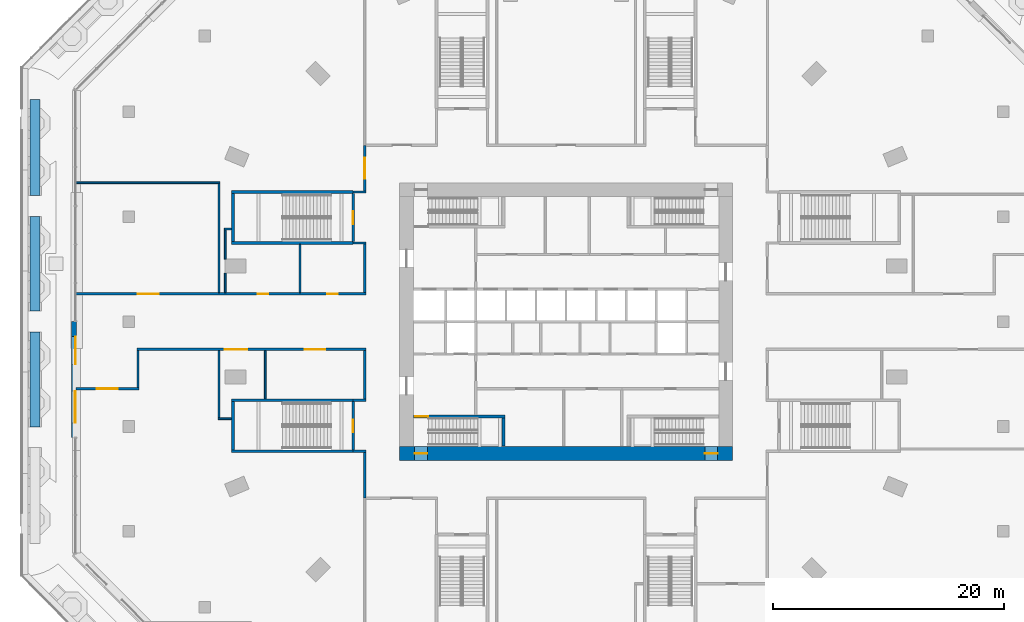
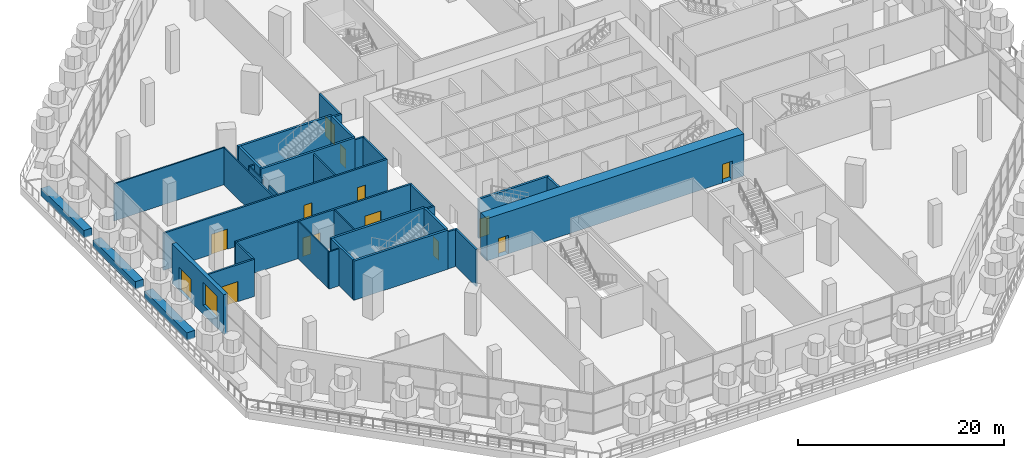
# One storey, part 22 of 32: 36 walls, 14 doors, 1 window, 15 openings.
"""IFC4 building model written with IfcOpenShell, lengths in metres."""

from ifc_helpers import new_model, si_unit, direction, frame, frame_2d, origin, place, context, subcontext, project, spatial, rectangle, extrude, material, layer, layer_set, type_object, element, fill, save


model = new_model("IFC4")

# Units and contexts
model_context = context("Model", 3, precision=1e-05, world=origin(), true_north=direction((0.0, 1.0)))
body_context = subcontext(model_context, "Body", "Model", "MODEL_VIEW")
ifc_project = project(units=[si_unit("LENGTHUNIT", "METRE"), si_unit("AREAUNIT", "SQUARE_METRE"), si_unit("VOLUMEUNIT", "CUBIC_METRE"), si_unit("PLANEANGLEUNIT", "RADIAN"), si_unit("MASSUNIT", "GRAM", prefix="KILO")], contexts=[model_context])

# Site, building, storey
site_placement = place(None, origin())
site = spatial("IfcSite", under=ifc_project, at=site_placement, CompositionType="ELEMENT")
building_placement = place(site_placement, origin())
building = spatial("IfcBuilding", under=site, at=building_placement, Name="Msitu Wima Residences", CompositionType="ELEMENT")
storey_placement = place(building_placement, frame((0.0, 0.0, 6.0)))
storey = spatial("IfcBuildingStorey", under=building, at=storey_placement, Name="L01", CompositionType="ELEMENT", Elevation=6.0)

# Wall, openings, door, window
ifc_material_1 = material(Name="Brick (red buff mix), cavity wall of two leaves", Category="masonry")
ifc_layer_1 = layer(ifc_material_1, 0.449951171875)
ifc_layer_set_1 = layer_set([ifc_layer_1], Name="Brick (red buff mix), cavity wall of two leaves")
wall_type_1 = type_object("IfcWallType", Name="Brick infill wall BW450 podium", PredefinedType="ELEMENTEDWALL", material=ifc_layer_set_1)
wall_1_placement = place(storey_placement, frame((-42.52490234375, 0.0, 0.0), z_axis=(0.0, 0.0, 1.0), x_axis=(0.0, -1.0, 0.0)))
wall_1 = element("IfcWall", 1, at=wall_1_placement, inside=storey, type_object=wall_type_1, Name="Brick infill wall L01 W2", PredefinedType="ELEMENTEDWALL", context=body_context, shape_type="SweptSolid", body=[
    extrude(rectangle(XDim=9.995849609375, YDim=0.449951171875, at=frame_2d((4.998046875, 0.0))), origin(), (0.0, 0.0, 1.0), 4.699951171875),
])
opening_1_placement = place(wall_1_placement, frame((1.299072265625, 0.0, 0.0)))
opening_1 = element("IfcOpeningElement", 2, at=opening_1_placement, cuts=wall_1, Name="Opening D01.008", PredefinedType="OPENING", context=body_context, shape_type="SweptSolid", body=[
    extrude(rectangle(XDim=2.39990234375, YDim=2.699951171875, at=frame_2d((1.199951171875, 1.35009765625))), frame((0.0, 0.23486328125, 0.0), z_axis=(0.0, -1.0, 0.0), x_axis=(1.0, 0.0, 0.0)), (0.0, 0.0, 1.0), 0.469970703125),
])
opening_2_placement = place(wall_1_placement, frame((6.0, 0.0, 1.050048828125)))
opening_2 = element("IfcOpeningElement", 3, at=opening_2_placement, cuts=wall_1, Name="Opening W01.008", PredefinedType="OPENING", context=body_context, shape_type="SweptSolid", body=[
    extrude(rectangle(XDim=2.75, YDim=2.699951171875, at=frame_2d((1.375, 1.35009765625))), frame((0.0, 0.23486328125, 0.0), z_axis=(0.0, -1.0, 0.0), x_axis=(1.0, 0.0, 0.0)), (0.0, 0.0, 1.0), 0.469970703125),
])
ifc_material_2 = material(Name="Anodised aluminium, bronze finish, clear low-emissivity double glazing", Category="aluminium")
door_type_1 = type_object("IfcDoorType", Name="Balcony door D2400x2700", OperationType="SLIDING_TO_LEFT", PredefinedType="DOOR", material=ifc_material_2)
door_1_placement = place(opening_1_placement, origin())
door_1 = element("IfcDoor", 4, at=door_1_placement, inside=storey, type_object=door_type_1, Name="Terrace door L01 W2", OperationType="SINGLE_SWING_LEFT", OverallHeight=2.699951171875, OverallWidth=2.39990234375, PredefinedType="DOOR", context=body_context, shape_type="SweptSolid", body=[
    extrude(rectangle(XDim=2.39990234375, YDim=2.699951171875, at=frame_2d((1.199951171875, 1.35009765625))), frame((0.0, 0.1298828125, 0.0), z_axis=(0.0, -1.0, 0.0), x_axis=(1.0, 0.0, 0.0)), (0.0, 0.0, 1.0), 0.050048828125),
])
fill(opening_1, door_1)
window_type = type_object("IfcWindowType", Name="Window W2750x2700", PartitioningType="DOUBLE_PANEL_VERTICAL", PredefinedType="WINDOW", material=ifc_material_2)
window_placement = place(opening_2_placement, origin())
window = element("IfcWindow", 5, at=window_placement, inside=storey, type_object=window_type, Name="Window L01 W2.2b", OverallHeight=2.699951171875, OverallWidth=2.75, PartitioningType="SINGLE_PANEL", PredefinedType="WINDOW", context=body_context, shape_type="SweptSolid", body=[
    extrude(rectangle(XDim=2.75, YDim=2.699951171875, at=frame_2d((1.375, 1.35009765625))), frame((0.0, 0.135009765625, 0.0), z_axis=(0.0, -1.0, 0.0), x_axis=(1.0, 0.0, 0.0)), (0.0, 0.0, 1.0), 0.06005859375),
])
fill(opening_2, window)

# Wall, openings, doors
ifc_material_3 = material(Name="Concrete C80/95", Category="concrete")
ifc_layer_2 = layer(ifc_material_3, 1.199951171875)
ifc_layer_set_2 = layer_set([ifc_layer_2], Name="Concrete C80/95")
wall_type_2 = type_object("IfcWallType", Name="Core wall CW1200 C80/95", PredefinedType="SHEAR", material=ifc_layer_set_2)
wall_2_placement = place(storey_placement, frame((-14.39990234375, -11.39990234375, 0.0), z_axis=(0.0, 0.0, 1.0), x_axis=(1.0, 0.0, 0.0)))
wall_2 = element("IfcWall", 6, at=wall_2_placement, inside=storey, type_object=wall_type_2, Name="Core wall", PredefinedType="SHEAR", context=body_context, shape_type="SweptSolid", body=[
    extrude(rectangle(XDim=28.7998046875, YDim=1.199951171875, at=frame_2d((14.39990234375, 0.0))), origin(), (0.0, 0.0, 1.0), 5.0),
])
opening_3_placement = place(wall_2_placement, frame((1.300048828125, 0.0, 0.0)))
opening_3 = element("IfcOpeningElement", 7, at=opening_3_placement, cuts=wall_2, Name="Opening D01.064", PredefinedType="OPENING", context=body_context, shape_type="SweptSolid", body=[
    extrude(rectangle(XDim=1.10009765625, YDim=2.199951171875, at=frame_2d((0.550048828125, 1.10009765625))), frame((0.0, 0.60986328125, 0.0), z_axis=(0.0, -1.0, 0.0), x_axis=(1.0, 0.0, 0.0)), (0.0, 0.0, 1.0), 1.219970703125),
])
opening_4_placement = place(wall_2_placement, frame((26.39990234375, 0.0, 0.0)))
opening_4 = element("IfcOpeningElement", 8, at=opening_4_placement, cuts=wall_2, Name="Opening D01.066", PredefinedType="OPENING", context=body_context, shape_type="SweptSolid", body=[
    extrude(rectangle(XDim=1.10009765625, YDim=2.199951171875, at=frame_2d((0.550048828125, 1.10009765625))), frame((0.0, 0.60986328125, 0.0), z_axis=(0.0, -1.0, 0.0), x_axis=(1.0, 0.0, 0.0)), (0.0, 0.0, 1.0), 1.219970703125),
])
ifc_material_4 = material(Name="Steel door, fire resisting, panic bar", Category="steel")
door_type_2 = type_object("IfcDoorType", Name="Stair door D06 1100x2200", OperationType="SINGLE_SWING_LEFT", PredefinedType="DOOR", material=ifc_material_4)
door_2_placement = place(opening_3_placement, origin())
door_2 = element("IfcDoor", 9, at=door_2_placement, inside=storey, type_object=door_type_2, Name="Stair door", OperationType="SINGLE_SWING_LEFT", OverallHeight=2.199951171875, OverallWidth=1.10009765625, PredefinedType="DOOR", context=body_context, shape_type="SweptSolid", body=[
    extrude(rectangle(XDim=1.10009765625, YDim=2.199951171875, at=frame_2d((0.550048828125, 1.10009765625))), frame((0.0, 0.02490234375, 0.0), z_axis=(0.0, -1.0, 0.0), x_axis=(1.0, 0.0, 0.0)), (0.0, 0.0, 1.0), 0.050048828125),
])
fill(opening_3, door_2)
door_3_placement = place(opening_4_placement, origin())
door_3 = element("IfcDoor", 10, at=door_3_placement, inside=storey, type_object=door_type_2, Name="Stair door", OperationType="SINGLE_SWING_RIGHT", OverallHeight=2.199951171875, OverallWidth=1.10009765625, PredefinedType="DOOR", context=body_context, shape_type="SweptSolid", body=[
    extrude(rectangle(XDim=1.10009765625, YDim=2.199951171875, at=frame_2d((0.550048828125, 1.10009765625))), frame((0.0, 0.02490234375, 0.0), z_axis=(0.0, -1.0, 0.0), x_axis=(1.0, 0.0, 0.0)), (0.0, 0.0, 1.0), 0.050048828125),
])
fill(opening_4, door_3)

# Wall, opening, door
ifc_material_5 = material(Name="Plaster")
ifc_layer_3 = layer(ifc_material_5, 0.011962890625, Name="Plaster")
ifc_material_6 = material(Name="Concrete blockwork", Category="masonry")
ifc_layer_4 = layer(ifc_material_6, 0.176025390625, Name="Concrete blockwork")
ifc_layer_5 = layer(ifc_material_5, 0.011962890625, Name="Plaster")
ifc_layer_set_3 = layer_set([ifc_layer_3, ifc_layer_4, ifc_layer_5], Name="Concrete blockwork")
wall_type_3 = type_object("IfcWallType", Name="Corridor wall FW200", PredefinedType="PARTITIONING", material=ifc_layer_set_3)
wall_3_placement = place(storey_placement, frame((-42.35498046875, -5.800048828125, 0.0), z_axis=(0.0, 0.0, 1.0), x_axis=(1.0, 0.0, 0.0)))
wall_3 = element("IfcWall", 11, at=wall_3_placement, inside=storey, type_object=wall_type_3, Name="Corridor wall", PredefinedType="PARTITIONING", context=body_context, shape_type="SweptSolid", body=[
    extrude(rectangle(XDim=5.455078125, YDim=0.199951171875, at=frame_2d((2.7275390625, 0.0))), origin(), (0.0, 0.0, 1.0), 4.39990234375),
])
opening_5_placement = place(wall_3_placement, frame((1.800048828125, 0.0, 0.0)))
opening_5 = element("IfcOpeningElement", 12, at=opening_5_placement, cuts=wall_3, Name="Opening D01.041", PredefinedType="OPENING", context=body_context, shape_type="SweptSolid", body=[
    extrude(rectangle(XDim=1.800048828125, YDim=2.39990234375, at=frame_2d((0.89990234375, 1.199951171875))), frame((0.0, 0.10986328125, 0.0), z_axis=(0.0, -1.0, 0.0), x_axis=(1.0, 0.0, 0.0)), (0.0, 0.0, 1.0), 0.219970703125),
])
ifc_material_7 = material(Name="Glazed aluminium door", Category="aluminium")
door_type_3 = type_object("IfcDoorType", Name="Shopfront door D11 1800x2400", OperationType="DOUBLE_DOOR_SINGLE_SWING", PredefinedType="DOOR", material=ifc_material_7)
door_4_placement = place(opening_5_placement, origin())
door_4 = element("IfcDoor", 13, at=door_4_placement, inside=storey, type_object=door_type_3, Name="Shopfront door", OperationType="DOUBLE_DOOR_SINGLE_SWING", OverallHeight=2.39990234375, OverallWidth=1.800048828125, PredefinedType="DOOR", context=body_context, shape_type="SweptSolid", body=[
    extrude(rectangle(XDim=1.800048828125, YDim=2.39990234375, at=frame_2d((0.89990234375, 1.199951171875))), frame((0.0, 0.02490234375, 0.0), z_axis=(0.0, -1.0, 0.0), x_axis=(1.0, 0.0, 0.0)), (0.0, 0.0, 1.0), 0.050048828125),
])
fill(opening_5, door_4)

# Wall, openings, doors
wall_4_placement = place(storey_placement, frame((-42.35498046875, 2.39990234375, 0.0), z_axis=(0.0, 0.0, 1.0), x_axis=(1.0, 0.0, 0.0)))
wall_4 = element("IfcWall", 14, at=wall_4_placement, inside=storey, type_object=wall_type_3, Name="Corridor wall", PredefinedType="PARTITIONING", context=body_context, shape_type="SweptSolid", body=[
    extrude(rectangle(XDim=25.054931640625, YDim=0.199951171875, at=frame_2d((12.52734375, 0.0))), origin(), (0.0, 0.0, 1.0), 4.39990234375),
])
opening_6_placement = place(wall_4_placement, frame((15.699951171875, 0.0, 0.0)))
opening_6 = element("IfcOpeningElement", 15, at=opening_6_placement, cuts=wall_4, Name="Opening D01.028", PredefinedType="OPENING", context=body_context, shape_type="SweptSolid", body=[
    extrude(rectangle(XDim=0.89990234375, YDim=2.199951171875, at=frame_2d((0.449951171875, 1.10009765625))), frame((0.0, 0.10986328125, 0.0), z_axis=(0.0, -1.0, 0.0), x_axis=(1.0, 0.0, 0.0)), (0.0, 0.0, 1.0), 0.219970703125),
])
opening_7_placement = place(wall_4_placement, frame((21.699951171875, 0.0, 0.0)))
opening_7 = element("IfcOpeningElement", 16, at=opening_7_placement, cuts=wall_4, Name="Opening D01.029", PredefinedType="OPENING", context=body_context, shape_type="SweptSolid", body=[
    extrude(rectangle(XDim=0.89990234375, YDim=2.199951171875, at=frame_2d((0.449951171875, 1.10009765625))), frame((0.0, 0.10986328125, 0.0), z_axis=(0.0, -1.0, 0.0), x_axis=(1.0, 0.0, 0.0)), (0.0, 0.0, 1.0), 0.219970703125),
])
opening_8_placement = place(wall_4_placement, frame((5.35009765625, 0.0, 0.0)))
opening_8 = element("IfcOpeningElement", 17, at=opening_8_placement, cuts=wall_4, Name="Opening D01.038", PredefinedType="OPENING", context=body_context, shape_type="SweptSolid", body=[
    extrude(rectangle(XDim=1.800048828125, YDim=2.39990234375, at=frame_2d((0.89990234375, 1.199951171875))), frame((0.0, 0.10986328125, 0.0), z_axis=(0.0, -1.0, 0.0), x_axis=(1.0, 0.0, 0.0)), (0.0, 0.0, 1.0), 0.219970703125),
])
ifc_material_8 = material(Name="Timber flush door, moisture resistant", Category="wood")
door_type_4 = type_object("IfcDoorType", Name="Bathroom door D03 900x2200", OperationType="SINGLE_SWING_LEFT", PredefinedType="DOOR", material=ifc_material_8)
door_5_placement = place(opening_6_placement, origin())
door_5 = element("IfcDoor", 18, at=door_5_placement, inside=storey, type_object=door_type_4, Name="Bathroom door", OperationType="SINGLE_SWING_RIGHT", OverallHeight=2.199951171875, OverallWidth=0.89990234375, PredefinedType="DOOR", context=body_context, shape_type="SweptSolid", body=[
    extrude(rectangle(XDim=0.89990234375, YDim=2.199951171875, at=frame_2d((0.449951171875, 1.10009765625))), frame((0.0, 0.02490234375, 0.0), z_axis=(0.0, -1.0, 0.0), x_axis=(1.0, 0.0, 0.0)), (0.0, 0.0, 1.0), 0.050048828125),
])
fill(opening_6, door_5)
door_6_placement = place(opening_7_placement, origin())
door_6 = element("IfcDoor", 19, at=door_6_placement, inside=storey, type_object=door_type_4, Name="Bathroom door", OperationType="SINGLE_SWING_RIGHT", OverallHeight=2.199951171875, OverallWidth=0.89990234375, PredefinedType="DOOR", context=body_context, shape_type="SweptSolid", body=[
    extrude(rectangle(XDim=0.89990234375, YDim=2.199951171875, at=frame_2d((0.449951171875, 1.10009765625))), frame((0.0, 0.02490234375, 0.0), z_axis=(0.0, -1.0, 0.0), x_axis=(1.0, 0.0, 0.0)), (0.0, 0.0, 1.0), 0.050048828125),
])
fill(opening_7, door_6)
door_7_placement = place(opening_8_placement, origin())
door_7 = element("IfcDoor", 20, at=door_7_placement, inside=storey, type_object=door_type_3, Name="Shopfront door", OperationType="DOUBLE_DOOR_SINGLE_SWING", OverallHeight=2.39990234375, OverallWidth=1.800048828125, PredefinedType="DOOR", context=body_context, shape_type="SweptSolid", body=[
    extrude(rectangle(XDim=1.800048828125, YDim=2.39990234375, at=frame_2d((0.89990234375, 1.199951171875))), frame((0.0, 0.02490234375, 0.0), z_axis=(0.0, -1.0, 0.0), x_axis=(1.0, 0.0, 0.0)), (0.0, 0.0, 1.0), 0.050048828125),
])
fill(opening_8, door_7)

# Wall
wall_5_placement = place(storey_placement, frame((-37.0, -5.699951171875, 0.0), z_axis=(0.0, 0.0, 1.0), x_axis=(0.0, 1.0, 0.0)))
element("IfcWall", 21, at=wall_5_placement, inside=storey, type_object=wall_type_3, Name="Corridor wall", PredefinedType="PARTITIONING", context=body_context, shape_type="SweptSolid", body=[
    extrude(rectangle(XDim=3.199951171875, YDim=0.199951171875, at=frame_2d((1.60009765625, 0.0))), origin(), (0.0, 0.0, 1.0), 4.39990234375),
])

# Wall, openings, doors
wall_6_placement = place(storey_placement, frame((-37.10009765625, -2.39990234375, 0.0), z_axis=(0.0, 0.0, 1.0), x_axis=(1.0, 0.0, 0.0)))
wall_6 = element("IfcWall", 22, at=wall_6_placement, inside=storey, type_object=wall_type_3, Name="Corridor wall", PredefinedType="PARTITIONING", context=body_context, shape_type="SweptSolid", body=[
    extrude(rectangle(XDim=19.800048828125, YDim=0.199951171875, at=frame_2d((9.89990234375, 0.0))), origin(), (0.0, 0.0, 1.0), 4.39990234375),
])
opening_9_placement = place(wall_6_placement, frame((8.64990234375, 0.0, 0.0)))
opening_9 = element("IfcOpeningElement", 23, at=opening_9_placement, cuts=wall_6, Name="Opening D01.030", PredefinedType="OPENING", context=body_context, shape_type="SweptSolid", body=[
    extrude(rectangle(XDim=0.89990234375, YDim=2.199951171875, at=frame_2d((0.449951171875, 1.10009765625))), frame((0.0, 0.10986328125, 0.0), z_axis=(0.0, -1.0, 0.0), x_axis=(1.0, 0.0, 0.0)), (0.0, 0.0, 1.0), 0.219970703125),
])
opening_10_placement = place(wall_6_placement, frame((14.5, 0.0, 0.0)))
opening_10 = element("IfcOpeningElement", 24, at=opening_10_placement, cuts=wall_6, Name="Opening D01.040", PredefinedType="OPENING", context=body_context, shape_type="SweptSolid", body=[
    extrude(rectangle(XDim=1.800048828125, YDim=2.39990234375, at=frame_2d((0.89990234375, 1.199951171875))), frame((0.0, 0.10986328125, 0.0), z_axis=(0.0, -1.0, 0.0), x_axis=(1.0, 0.0, 0.0)), (0.0, 0.0, 1.0), 0.219970703125),
])
opening_11_placement = place(wall_6_placement, frame((7.60009765625, 0.0, 0.0)))
opening_11 = element("IfcOpeningElement", 25, at=opening_11_placement, cuts=wall_6, Name="Opening D01.050", PredefinedType="OPENING", context=body_context, shape_type="SweptSolid", body=[
    extrude(rectangle(XDim=0.89990234375, YDim=2.199951171875, at=frame_2d((0.449951171875, 1.10009765625))), frame((0.0, 0.10986328125, 0.0), z_axis=(0.0, -1.0, 0.0), x_axis=(1.0, 0.0, 0.0)), (0.0, 0.0, 1.0), 0.219970703125),
])
door_8_placement = place(opening_9_placement, origin())
door_8 = element("IfcDoor", 26, at=door_8_placement, inside=storey, type_object=door_type_4, Name="Bathroom door", OperationType="SINGLE_SWING_RIGHT", OverallHeight=2.199951171875, OverallWidth=0.89990234375, PredefinedType="DOOR", context=body_context, shape_type="SweptSolid", body=[
    extrude(rectangle(XDim=0.89990234375, YDim=2.199951171875, at=frame_2d((0.449951171875, 1.10009765625))), frame((0.0, 0.02490234375, 0.0), z_axis=(0.0, -1.0, 0.0), x_axis=(1.0, 0.0, 0.0)), (0.0, 0.0, 1.0), 0.050048828125),
])
fill(opening_9, door_8)
door_9_placement = place(opening_11_placement, origin())
door_9 = element("IfcDoor", 27, at=door_9_placement, inside=storey, type_object=door_type_4, Name="Bathroom door", OperationType="SINGLE_SWING_RIGHT", OverallHeight=2.199951171875, OverallWidth=0.89990234375, PredefinedType="DOOR", context=body_context, shape_type="SweptSolid", body=[
    extrude(rectangle(XDim=0.89990234375, YDim=2.199951171875, at=frame_2d((0.449951171875, 1.10009765625))), frame((0.0, 0.02490234375, 0.0), z_axis=(0.0, -1.0, 0.0), x_axis=(1.0, 0.0, 0.0)), (0.0, 0.0, 1.0), 0.050048828125),
])
fill(opening_11, door_9)
door_10_placement = place(opening_10_placement, origin())
door_10 = element("IfcDoor", 28, at=door_10_placement, inside=storey, type_object=door_type_3, Name="Shopfront door", OperationType="DOUBLE_DOOR_SINGLE_SWING", OverallHeight=2.39990234375, OverallWidth=1.800048828125, PredefinedType="DOOR", context=body_context, shape_type="SweptSolid", body=[
    extrude(rectangle(XDim=1.800048828125, YDim=2.39990234375, at=frame_2d((0.89990234375, 1.199951171875))), frame((0.0, 0.02490234375, 0.0), z_axis=(0.0, -1.0, 0.0), x_axis=(1.0, 0.0, 0.0)), (0.0, 0.0, 1.0), 0.050048828125),
])
fill(opening_10, door_10)

# Walls
for number, where, z_axis, x_axis, name in (
    (29, (-18.39990234375, -11.199951171875, 0.0), (0.0, 0.0, 1.0), (1.0, 0.0, 0.0), "Corridor wall"),
    (30, (-18.39990234375, -6.800048828125, 0.0), (0.0, 0.0, 1.0), (1.0, 0.0, 0.0), "Corridor wall"),
    (31, (-18.39990234375, 6.800048828125, 0.0), (0.0, 0.0, 1.0), (1.0, 0.0, 0.0), "Corridor wall"),
    (32, (-18.39990234375, 11.199951171875, 0.0), (0.0, 0.0, 1.0), (1.0, 0.0, 0.0), "Corridor wall"),
):
    element("IfcWall", number, at=place(storey_placement, frame(where, z_axis=z_axis, x_axis=x_axis)), inside=storey, type_object=wall_type_3, Name=name, PredefinedType="PARTITIONING", context=body_context, shape_type="SweptSolid", body=[
        extrude(rectangle(XDim=1.099853515625, YDim=0.199951171875, at=frame_2d((0.5498046875, 0.0))), origin(), (0.0, 0.0, 1.0), 4.39990234375),
    ])
wall_7_placement = place(storey_placement, frame((-17.39990234375, -15.23681640625, 0.0), z_axis=(0.0, 0.0, 1.0), x_axis=(0.0, 1.0, 0.0)))
element("IfcWall", 33, at=wall_7_placement, inside=storey, type_object=wall_type_3, Name="Corridor wall", PredefinedType="PARTITIONING", context=body_context, shape_type="SweptSolid", body=[
    extrude(rectangle(XDim=3.936767578125, YDim=0.199951171875, at=frame_2d((1.96826171875, 0.0))), origin(), (0.0, 0.0, 1.0), 4.39990234375),
])
for number, where, z_axis, x_axis, name in (
    (34, (-17.39990234375, -6.699951171875, 0.0), (0.0, 0.0, 1.0), (0.0, 1.0, 0.0), "Corridor wall"),
    (35, (-17.39990234375, 2.5, 0.0), (0.0, 0.0, 1.0), (0.0, 1.0, 0.0), "Corridor wall"),
):
    element("IfcWall", number, at=place(storey_placement, frame(where, z_axis=z_axis, x_axis=x_axis)), inside=storey, type_object=wall_type_3, Name=name, PredefinedType="PARTITIONING", context=body_context, shape_type="SweptSolid", body=[
        extrude(rectangle(XDim=4.199951171875, YDim=0.199951171875, at=frame_2d((2.10009765625, 0.0))), origin(), (0.0, 0.0, 1.0), 4.39990234375),
    ])

# Wall, opening, door
wall_8_placement = place(storey_placement, frame((-17.39990234375, 11.300048828125, 0.0), z_axis=(0.0, 0.0, 1.0), x_axis=(0.0, 1.0, 0.0)))
wall_8 = element("IfcWall", 36, at=wall_8_placement, inside=storey, type_object=wall_type_3, Name="Corridor wall", PredefinedType="PARTITIONING", context=body_context, shape_type="SweptSolid", body=[
    extrude(rectangle(XDim=3.936767578125, YDim=0.199951171875, at=frame_2d((1.96826171875, 0.0))), origin(), (0.0, 0.0, 1.0), 4.39990234375),
])
opening_12_placement = place(wall_8_placement, frame((1.050048828125, 0.0, 0.0)))
opening_12 = element("IfcOpeningElement", 37, at=opening_12_placement, cuts=wall_8, Name="Opening D01.039", PredefinedType="OPENING", context=body_context, shape_type="SweptSolid", body=[
    extrude(rectangle(XDim=1.800048828125, YDim=2.39990234375, at=frame_2d((0.89990234375, 1.199951171875))), frame((0.0, 0.10986328125, 0.0), z_axis=(0.0, -1.0, 0.0), x_axis=(1.0, 0.0, 0.0)), (0.0, 0.0, 1.0), 0.219970703125),
])
door_11_placement = place(opening_12_placement, origin())
door_11 = element("IfcDoor", 38, at=door_11_placement, inside=storey, type_object=door_type_3, Name="Shopfront door", OperationType="DOUBLE_DOOR_SINGLE_SWING", OverallHeight=2.39990234375, OverallWidth=1.800048828125, PredefinedType="DOOR", context=body_context, shape_type="SweptSolid", body=[
    extrude(rectangle(XDim=1.800048828125, YDim=2.39990234375, at=frame_2d((0.89990234375, 1.199951171875))), frame((0.0, 0.02490234375, 0.0), z_axis=(0.0, -1.0, 0.0), x_axis=(1.0, 0.0, 0.0)), (0.0, 0.0, 1.0), 0.050048828125),
])
fill(opening_12, door_11)

# Walls
ifc_layer_6 = layer(ifc_material_5, 0.011962890625, Name="Plaster")
ifc_layer_7 = layer(ifc_material_6, 0.1259765625, Name="Concrete blockwork")
ifc_layer_8 = layer(ifc_material_5, 0.011962890625, Name="Plaster")
ifc_layer_set_4 = layer_set([ifc_layer_6, ifc_layer_7, ifc_layer_8], Name="Concrete blockwork")
wall_type_4 = type_object("IfcWallType", Name="Partition PW150", PredefinedType="PARTITIONING", material=ifc_layer_set_4)
wall_9_placement = place(storey_placement, frame((-42.35498046875, 12.0, 0.0), z_axis=(0.0, 0.0, 1.0), x_axis=(1.0, 0.0, 0.0)))
element("IfcWall", 39, at=wall_9_placement, inside=storey, type_object=wall_type_4, Name="Partition", PredefinedType="PARTITIONING", context=body_context, shape_type="SweptSolid", body=[
    extrude(rectangle(XDim=12.429931640625, YDim=0.14990234375, at=frame_2d((6.21484375, 0.0))), origin(), (0.0, 0.0, 1.0), 4.39990234375),
])
wall_10_placement = place(storey_placement, frame((-30.0, -8.324951171875, 0.0), z_axis=(0.0, 0.0, 1.0), x_axis=(0.0, 1.0, 0.0)))
element("IfcWall", 40, at=wall_10_placement, inside=storey, type_object=wall_type_4, Name="Partition", PredefinedType="PARTITIONING", context=body_context, shape_type="SweptSolid", body=[
    extrude(rectangle(XDim=5.824951171875, YDim=0.14990234375, at=frame_2d((2.91259765625, 0.0))), origin(), (0.0, 0.0, 1.0), 4.39990234375),
])
wall_11_placement = place(storey_placement, frame((-30.074951171875, -8.39990234375, 0.0), z_axis=(0.0, 0.0, 1.0), x_axis=(1.0, 0.0, 0.0)))
element("IfcWall", 41, at=wall_11_placement, inside=storey, type_object=wall_type_4, Name="Partition", PredefinedType="PARTITIONING", context=body_context, shape_type="SweptSolid", body=[
    extrude(rectangle(XDim=1.14990234375, YDim=0.14990234375, at=frame_2d((0.574951171875, 0.0))), origin(), (0.0, 0.0, 1.0), 4.39990234375),
])
wall_12_placement = place(storey_placement, frame((-30.0, 2.5, 0.0), z_axis=(0.0, 0.0, 1.0), x_axis=(0.0, 1.0, 0.0)))
element("IfcWall", 42, at=wall_12_placement, inside=storey, type_object=wall_type_4, Name="Partition", PredefinedType="PARTITIONING", context=body_context, shape_type="SweptSolid", body=[
    extrude(rectangle(XDim=9.425048828125, YDim=0.14990234375, at=frame_2d((4.71240234375, 0.0))), origin(), (0.0, 0.0, 1.0), 4.39990234375),
])
wall_13_placement = place(storey_placement, frame((-29.4541015625, 2.5, 0.0), z_axis=(0.0, 0.0, 1.0), x_axis=(0.0, 1.0, 0.0)))
element("IfcWall", 43, at=wall_13_placement, inside=storey, type_object=wall_type_4, Name="Partition", PredefinedType="PARTITIONING", context=body_context, shape_type="SweptSolid", body=[
    extrude(rectangle(XDim=1.699951171875, YDim=0.14990234375, at=frame_2d((0.85009765625, 0.0))), origin(), (0.0, 0.0, 1.0), 4.39990234375),
])
wall_14_placement = place(storey_placement, frame((-29.4541015625, 5.39990234375, 0.0), z_axis=(0.0, 0.0, 1.0), x_axis=(0.0, 1.0, 0.0)))
element("IfcWall", 44, at=wall_14_placement, inside=storey, type_object=wall_type_4, Name="Partition", PredefinedType="PARTITIONING", context=body_context, shape_type="SweptSolid", body=[
    extrude(rectangle(XDim=2.525146484375, YDim=0.14990234375, at=frame_2d((1.2626953125, 0.0))), origin(), (0.0, 0.0, 1.0), 4.39990234375),
])
wall_15_placement = place(storey_placement, frame((-29.529052734375, 8.0, 0.0), z_axis=(0.0, 0.0, 1.0), x_axis=(1.0, 0.0, 0.0)))
element("IfcWall", 45, at=wall_15_placement, inside=storey, type_object=wall_type_4, Name="Partition", PredefinedType="PARTITIONING", context=body_context, shape_type="SweptSolid", body=[
    extrude(rectangle(XDim=0.60400390625, YDim=0.14990234375, at=frame_2d((0.302001953125, 0.0))), origin(), (0.0, 0.0, 1.0), 4.39990234375),
])
for number, where, z_axis, x_axis, name in (
    (46, (-26.0, -6.675048828125, 0.0), (0.0, 0.0, 1.0), (0.0, 1.0, 0.0), "Partition"),
    (47, (-23.0, 2.5, 0.0), (0.0, 0.0, 1.0), (0.0, 1.0, 0.0), "Partition"),
):
    element("IfcWall", number, at=place(storey_placement, frame(where, z_axis=z_axis, x_axis=x_axis)), inside=storey, type_object=wall_type_4, Name=name, PredefinedType="PARTITIONING", context=body_context, shape_type="SweptSolid", body=[
        extrude(rectangle(XDim=4.175048828125, YDim=0.14990234375, at=frame_2d((2.08740234375, 0.0))), origin(), (0.0, 0.0, 1.0), 4.39990234375),
    ])
ifc_material_9 = material(Name="Concrete C50/60", Category="concrete")
ifc_layer_9 = layer(ifc_material_9, 0.25)
ifc_layer_set_5 = layer_set([ifc_layer_9], Name="Concrete C50/60")
wall_type_5 = type_object("IfcWallType", Name="Stair enclosure wall SW250", PredefinedType="SHEAR", material=ifc_layer_set_5)
wall_16_placement = place(storey_placement, frame((-28.800048828125, -11.074951171875, 0.0), z_axis=(0.0, 0.0, 1.0), x_axis=(0.0, 1.0, 0.0)))
element("IfcWall", 48, at=wall_16_placement, inside=storey, type_object=wall_type_5, Name="Stair enclosure wall", PredefinedType="SHEAR", context=body_context, shape_type="SweptSolid", body=[
    extrude(rectangle(XDim=4.14990234375, YDim=0.25, at=frame_2d((2.074951171875, 0.0))), origin(), (0.0, 0.0, 1.0), 4.64990234375),
])
for number, where, z_axis, x_axis, name in (
    (49, (-28.925048828125, -11.199951171875, 0.0), (0.0, 0.0, 1.0), (1.0, 0.0, 0.0), "Stair enclosure wall"),
    (50, (-28.925048828125, -6.800048828125, 0.0), (0.0, 0.0, 1.0), (1.0, 0.0, 0.0), "Stair enclosure wall"),
):
    element("IfcWall", number, at=place(storey_placement, frame(where, z_axis=z_axis, x_axis=x_axis)), inside=storey, type_object=wall_type_5, Name=name, PredefinedType="SHEAR", context=body_context, shape_type="SweptSolid", body=[
        extrude(rectangle(XDim=10.525146484375, YDim=0.25, at=frame_2d((5.2626953125, 0.0))), origin(), (0.0, 0.0, 1.0), 4.64990234375),
    ])
wall_17_placement = place(storey_placement, frame((-28.800048828125, 6.925048828125, 0.0), z_axis=(0.0, 0.0, 1.0), x_axis=(0.0, 1.0, 0.0)))
element("IfcWall", 51, at=wall_17_placement, inside=storey, type_object=wall_type_5, Name="Stair enclosure wall", PredefinedType="SHEAR", context=body_context, shape_type="SweptSolid", body=[
    extrude(rectangle(XDim=4.14990234375, YDim=0.25, at=frame_2d((2.074951171875, 0.0))), origin(), (0.0, 0.0, 1.0), 4.64990234375),
])
for number, where, z_axis, x_axis, name in (
    (52, (-28.925048828125, 6.800048828125, 0.0), (0.0, 0.0, 1.0), (1.0, 0.0, 0.0), "Stair enclosure wall"),
    (53, (-28.925048828125, 11.199951171875, 0.0), (0.0, 0.0, 1.0), (1.0, 0.0, 0.0), "Stair enclosure wall"),
):
    element("IfcWall", number, at=place(storey_placement, frame(where, z_axis=z_axis, x_axis=x_axis)), inside=storey, type_object=wall_type_5, Name=name, PredefinedType="SHEAR", context=body_context, shape_type="SweptSolid", body=[
        extrude(rectangle(XDim=10.525146484375, YDim=0.25, at=frame_2d((5.2626953125, 0.0))), origin(), (0.0, 0.0, 1.0), 4.64990234375),
    ])

# Wall, opening, door
wall_18_placement = place(storey_placement, frame((-18.39990234375, -11.074951171875, 0.0), z_axis=(0.0, 0.0, 1.0), x_axis=(0.0, 1.0, 0.0)))
wall_18 = element("IfcWall", 54, at=wall_18_placement, inside=storey, type_object=wall_type_5, Name="Stair enclosure wall", PredefinedType="SHEAR", context=body_context, shape_type="SweptSolid", body=[
    extrude(rectangle(XDim=4.14990234375, YDim=0.25, at=frame_2d((2.074951171875, 0.0))), origin(), (0.0, 0.0, 1.0), 4.64990234375),
])
opening_13_placement = place(wall_18_placement, frame((1.5, 0.0, 0.0)))
opening_13 = element("IfcOpeningElement", 55, at=opening_13_placement, cuts=wall_18, Name="Opening D01.055", PredefinedType="OPENING", context=body_context, shape_type="SweptSolid", body=[
    extrude(rectangle(XDim=1.10009765625, YDim=2.199951171875, at=frame_2d((0.550048828125, 1.10009765625))), frame((0.0, 0.135009765625, 0.0), z_axis=(0.0, -1.0, 0.0), x_axis=(1.0, 0.0, 0.0)), (0.0, 0.0, 1.0), 0.27001953125),
])
door_type_5 = type_object("IfcDoorType", Name="Stair door D13 1100x2200", OperationType="SINGLE_SWING_LEFT", PredefinedType="DOOR", material=ifc_material_4)
door_12_placement = place(opening_13_placement, origin())
door_12 = element("IfcDoor", 56, at=door_12_placement, inside=storey, type_object=door_type_5, Name="Stair door", OperationType="SINGLE_SWING_LEFT", OverallHeight=2.199951171875, OverallWidth=1.10009765625, PredefinedType="DOOR", context=body_context, shape_type="SweptSolid", body=[
    extrude(rectangle(XDim=1.10009765625, YDim=2.199951171875, at=frame_2d((0.550048828125, 1.10009765625))), frame((0.0, 0.02490234375, 0.0), z_axis=(0.0, -1.0, 0.0), x_axis=(1.0, 0.0, 0.0)), (0.0, 0.0, 1.0), 0.050048828125),
])
fill(opening_13, door_12)

wall_19_placement = place(storey_placement, frame((-18.39990234375, 6.925048828125, 0.0), z_axis=(0.0, 0.0, 1.0), x_axis=(0.0, 1.0, 0.0)))
wall_19 = element("IfcWall", 57, at=wall_19_placement, inside=storey, type_object=wall_type_5, Name="Stair enclosure wall", PredefinedType="SHEAR", context=body_context, shape_type="SweptSolid", body=[
    extrude(rectangle(XDim=4.14990234375, YDim=0.25, at=frame_2d((2.074951171875, 0.0))), origin(), (0.0, 0.0, 1.0), 4.64990234375),
])
opening_14_placement = place(wall_19_placement, frame((1.5, 0.0, 0.0)))
opening_14 = element("IfcOpeningElement", 58, at=opening_14_placement, cuts=wall_19, Name="Opening D01.056", PredefinedType="OPENING", context=body_context, shape_type="SweptSolid", body=[
    extrude(rectangle(XDim=1.10009765625, YDim=2.199951171875, at=frame_2d((0.550048828125, 1.10009765625))), frame((0.0, 0.135009765625, 0.0), z_axis=(0.0, -1.0, 0.0), x_axis=(1.0, 0.0, 0.0)), (0.0, 0.0, 1.0), 0.27001953125),
])
door_13_placement = place(opening_14_placement, origin())
door_13 = element("IfcDoor", 59, at=door_13_placement, inside=storey, type_object=door_type_5, Name="Stair door", OperationType="SINGLE_SWING_LEFT", OverallHeight=2.199951171875, OverallWidth=1.10009765625, PredefinedType="DOOR", context=body_context, shape_type="SweptSolid", body=[
    extrude(rectangle(XDim=1.10009765625, YDim=2.199951171875, at=frame_2d((0.550048828125, 1.10009765625))), frame((0.0, 0.02490234375, 0.0), z_axis=(0.0, -1.0, 0.0), x_axis=(1.0, 0.0, 0.0)), (0.0, 0.0, 1.0), 0.050048828125),
])
fill(opening_14, door_13)

wall_20_placement = place(storey_placement, frame((-13.169921875, -8.199951171875, 0.0), z_axis=(0.0, 0.0, 1.0), x_axis=(1.0, 0.0, 0.0)))
wall_20 = element("IfcWall", 60, at=wall_20_placement, inside=storey, type_object=wall_type_5, Name="Stair enclosure wall", PredefinedType="SHEAR", context=body_context, shape_type="SweptSolid", body=[
    extrude(rectangle(XDim=7.89501953125, YDim=0.25, at=frame_2d((3.947509765625, 0.0))), origin(), (0.0, 0.0, 1.0), 4.64990234375),
])
opening_15_placement = place(wall_20_placement, frame((0.14990234375, 0.0, 0.0)))
opening_15 = element("IfcOpeningElement", 61, at=opening_15_placement, cuts=wall_20, Name="Opening D01.027", PredefinedType="OPENING", context=body_context, shape_type="SweptSolid", body=[
    extrude(rectangle(XDim=1.10009765625, YDim=2.199951171875, at=frame_2d((0.550048828125, 1.10009765625))), frame((0.0, 0.135009765625, 0.0), z_axis=(0.0, -1.0, 0.0), x_axis=(1.0, 0.0, 0.0)), (0.0, 0.0, 1.0), 0.27001953125),
])
door_14_placement = place(opening_15_placement, origin())
door_14 = element("IfcDoor", 62, at=door_14_placement, inside=storey, type_object=door_type_2, Name="Stair door", OperationType="SINGLE_SWING_RIGHT", OverallHeight=2.199951171875, OverallWidth=1.10009765625, PredefinedType="DOOR", context=body_context, shape_type="SweptSolid", body=[
    extrude(rectangle(XDim=1.10009765625, YDim=2.199951171875, at=frame_2d((0.550048828125, 1.10009765625))), frame((0.0, 0.02490234375, 0.0), z_axis=(0.0, -1.0, 0.0), x_axis=(1.0, 0.0, 0.0)), (0.0, 0.0, 1.0), 0.050048828125),
])
fill(opening_15, door_14)

# Walls
wall_21_placement = place(storey_placement, frame((-5.39990234375, -10.77001953125, 0.0), z_axis=(0.0, 0.0, 1.0), x_axis=(0.0, 1.0, 0.0)))
element("IfcWall", 63, at=wall_21_placement, inside=storey, type_object=wall_type_5, Name="Stair enclosure wall", PredefinedType="SHEAR", context=body_context, shape_type="SweptSolid", body=[
    extrude(rectangle(XDim=2.445068359375, YDim=0.25, at=frame_2d((1.22265625, 0.0))), origin(), (0.0, 0.0, 1.0), 4.64990234375),
])
ifc_material_10 = material(Name="Facing brick")
ifc_layer_10 = layer(ifc_material_10, 0.06494140625, Name="Facing brick")
ifc_material_11 = material(Name="Concrete C40/50", Category="concrete")
ifc_layer_11 = layer(ifc_material_11, 0.381103515625, Name="Concrete C40/50")
ifc_material_12 = material(Name="Waterproofing membrane")
ifc_layer_12 = layer(ifc_material_12, 0.00390625, Name="Waterproofing membrane")
ifc_material_13 = material(Name="Planting soil and planting")
ifc_layer_13 = layer(ifc_material_13, 0.449951171875, Name="Planting soil and planting")
ifc_layer_set_6 = layer_set([ifc_layer_10, ifc_layer_11, ifc_layer_12, ifc_layer_13], Name="Concrete C40/50")
wall_type_6 = type_object("IfcWallType", Name="Terrace planter PLANTER PL900", PredefinedType="USERDEFINED", material=ifc_layer_set_6)
wall_22_placement = place(storey_placement, frame((-45.89990234375, 19.18505859375, 0.0), z_axis=(0.0, 0.0, 1.0), x_axis=(0.0, -1.0, 0.0)))
element("IfcWall", 64, at=wall_22_placement, inside=storey, type_object=wall_type_6, Name="Terrace planter L01 W0", ObjectType="PLANTER", PredefinedType="USERDEFINED", context=body_context, shape_type="SweptSolid", body=[
    extrude(rectangle(XDim=8.2890625, YDim=0.89990234375, at=frame_2d((4.14453125, 0.0))), origin(), (0.0, 0.0, 1.0), 0.89990234375),
])
for number, where, z_axis, x_axis, name in (
    (65, (-45.89990234375, 9.095947265625, 0.0), (0.0, 0.0, 1.0), (0.0, -1.0, 0.0), "Terrace planter L01 W1"),
    (66, (-45.89990234375, -0.89990234375, 0.0), (0.0, 0.0, 1.0), (0.0, -1.0, 0.0), "Terrace planter L01 W2"),
):
    element("IfcWall", number, at=place(storey_placement, frame(where, z_axis=z_axis, x_axis=x_axis)), inside=storey, type_object=wall_type_6, Name=name, ObjectType="PLANTER", PredefinedType="USERDEFINED", context=body_context, shape_type="SweptSolid", body=[
        extrude(rectangle(XDim=8.196044921875, YDim=0.89990234375, at=frame_2d((4.09814453125, 0.0))), origin(), (0.0, 0.0, 1.0), 0.89990234375),
    ])

save(model, "model.ifc")
